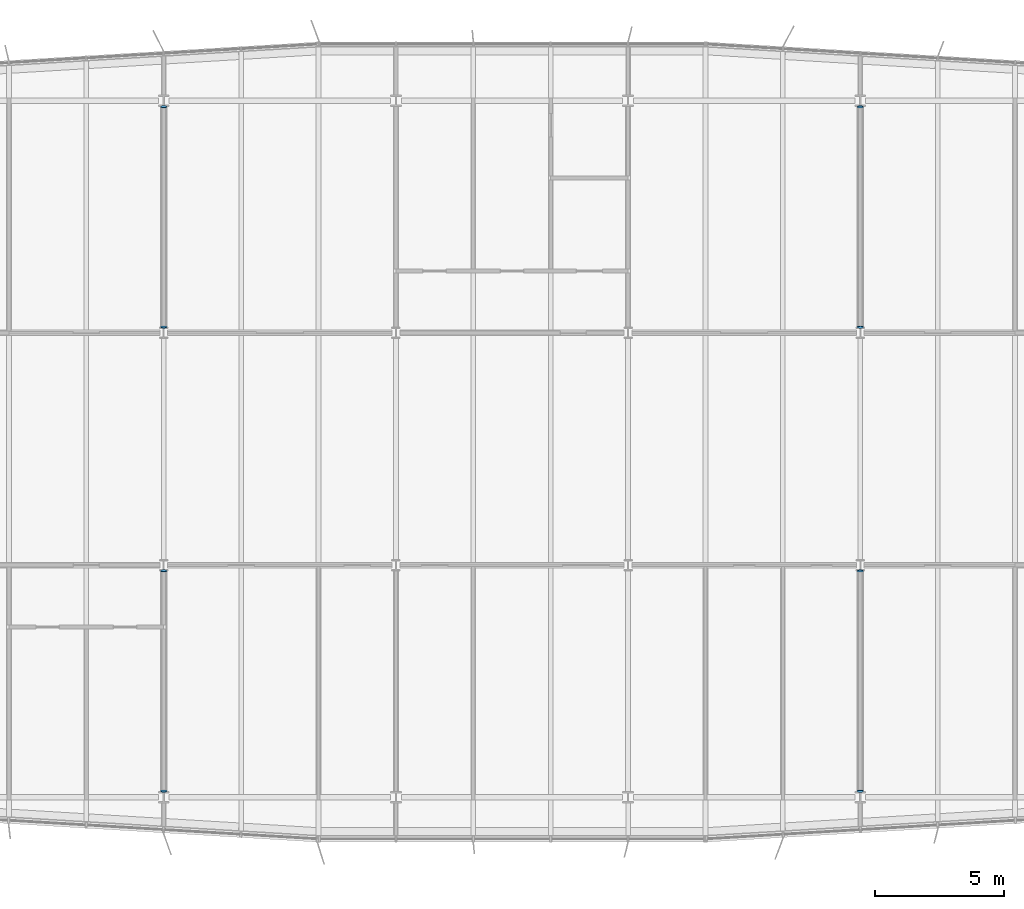
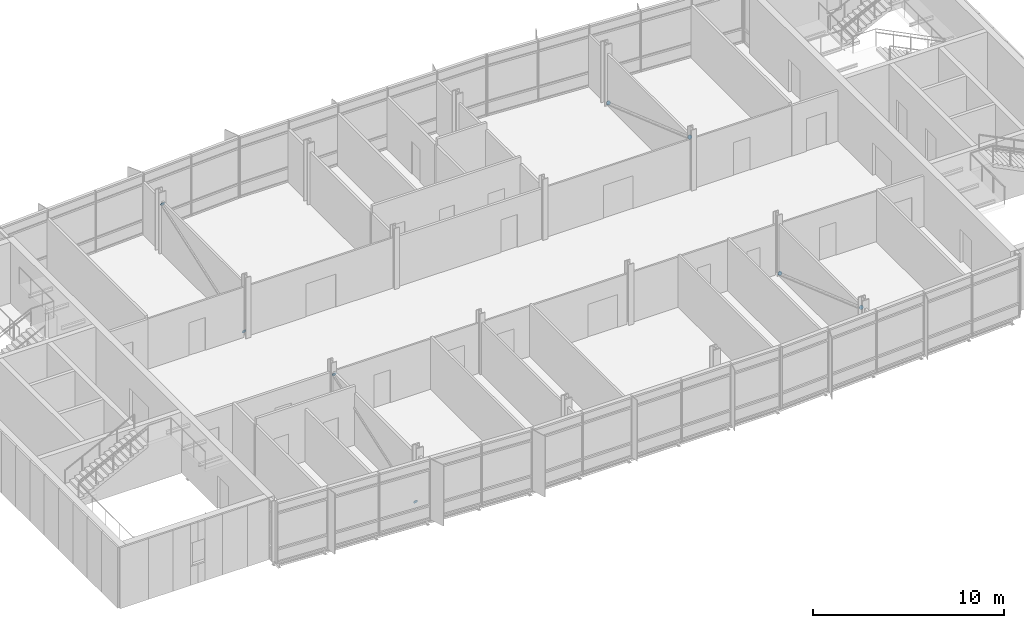
# One storey, part 19 of 21: 8 discrete accessories.
"""IFC4 building model written with IfcOpenShell, lengths in metres."""

import ifcopenshell
import ifcopenshell.guid

model = None  # the IFC model being written
_history = None  # IfcOwnerHistory: only IFC2X3 demands one
_inside = {}  # id of a spatial element -> (the spatial element, [elements in it])
_under = {}  # id of a project, library or spatial element -> (it, [spatial elements below it])
_declared = {}  # id of a project -> (the project, [libraries it declares])
_typed = {}  # id of a type object -> (the type object, [elements of that type])
_made_of = {}  # id of a material, layer set ... -> (it, [elements and type objects made of it])


def new_model(schema):
    """Start an empty IFC model of exactly this schema.

    Asked for "IFC4X3", IfcOpenShell would pick the latest addendum, in which some entities
    have other attributes; the version numbers below select the first issue.
    IFC2X3 requires an IfcOwnerHistory on every rooted entity: one is made here for all.
    """
    global model, _history
    if schema == "IFC4X3":
        model = ifcopenshell.file(schema_version=(4, 3, 0, 0))
    else:
        model = ifcopenshell.file(schema=schema)
    _inside.clear()
    _under.clear()
    _declared.clear()
    _typed.clear()
    _made_of.clear()
    _history = None
    if model.schema == "IFC2X3":
        org = make("IfcOrganization", Name="unknown")
        user = make(
            "IfcPersonAndOrganization",
            ThePerson=make("IfcPerson", FamilyName="unknown"),
            TheOrganization=org,
        )
        app = make(
            "IfcApplication",
            ApplicationDeveloper=org,
            Version="unknown",
            ApplicationFullName="unknown",
            ApplicationIdentifier="unknown",
        )
        _history = make(
            "IfcOwnerHistory",
            OwningUser=user,
            OwningApplication=app,
            ChangeAction="ADDED",
            CreationDate=0,
        )
    return model


def make(cls, **values):
    """One entity of the class cls with the attributes given. An attribute that is None is left unset."""
    return model.create_entity(
        cls, **{name: value for name, value in values.items() if value is not None}
    )


def rooted(cls, **values):
    """An entity with a GlobalId (a new one), such as an element, a storey or a relation."""
    return make(cls, GlobalId=ifcopenshell.guid.new(), OwnerHistory=_history, **values)


def si_unit(unit_type, name, prefix=None):
    """IfcSIUnit, for example si_unit("LENGTHUNIT", "METRE", prefix="MILLI")."""
    return make("IfcSIUnit", UnitType=unit_type, Prefix=prefix, Name=name)


def assignment(units):
    """IfcUnitAssignment: the units of a project."""
    return None if units is None else make("IfcUnitAssignment", Units=units)


def point(xyz):
    """IfcCartesianPoint."""
    return None if xyz is None else make("IfcCartesianPoint", Coordinates=xyz)


def direction(xyz):
    """IfcDirection."""
    return None if xyz is None else make("IfcDirection", DirectionRatios=xyz)


def frame(location, z_axis=None, x_axis=None):
    """IfcAxis2Placement3D, a coordinate frame: its origin and axes. An axis left out is left unset."""
    return make(
        "IfcAxis2Placement3D",
        Location=point(location),
        Axis=direction(z_axis),
        RefDirection=direction(x_axis),
    )


def frame_2d(location, x_axis=None):
    """IfcAxis2Placement2D, a coordinate frame in the plane: its origin and x axis."""
    return make(
        "IfcAxis2Placement2D", Location=point(location), RefDirection=direction(x_axis)
    )


def origin():
    """The frame at (0, 0, 0) with its axes left unset."""
    return frame((0.0, 0.0, 0.0))


def origin_2d():
    """The frame at (0, 0) in the plane with its x axis left unset."""
    return frame_2d((0.0, 0.0))


def place(relative_to, where):
    """IfcLocalPlacement: puts the frame where relative to a parent placement (None: the world)."""
    return make(
        "IfcLocalPlacement", PlacementRelTo=relative_to, RelativePlacement=where
    )


def context(
    kind, dimensions, precision=None, world=None, true_north=None, identifier=None
):
    """IfcGeometricRepresentationContext, for example the 3D "Model" context."""
    return make(
        "IfcGeometricRepresentationContext",
        ContextIdentifier=identifier,
        ContextType=kind,
        CoordinateSpaceDimension=dimensions,
        Precision=precision,
        WorldCoordinateSystem=world,
        TrueNorth=true_north,
    )


def subcontext(parent, identifier, kind, view, scale=None):
    """IfcGeometricRepresentationSubContext, for example "Body" below "Model"."""
    return make(
        "IfcGeometricRepresentationSubContext",
        ContextIdentifier=identifier,
        ContextType=kind,
        ParentContext=parent,
        TargetScale=scale,
        TargetView=view,
    )


def project(units=None, contexts=None):
    """IfcProject with its units and contexts."""
    return rooted(
        "IfcProject",
        Name="project",
        RepresentationContexts=contexts,
        UnitsInContext=assignment(units),
    )


def spatial(cls, under=None, at=None, **own):
    """A site, building, storey or space (cls), placed at a placement, below another one or the project."""
    s = rooted(cls, ObjectPlacement=at, **own)
    if under is not None:
        _under.setdefault(under.id(), (under, []))[1].append(s)
    return s


def profile(cls, at=None, kind="AREA", **sizes):
    """A parametric profile (cls). Its sizes go by their IFC names, for example OverallWidth=200.0."""
    return make(cls, ProfileType=kind, Position=at, **sizes)


def circle(**sizes):
    """IfcCircleProfileDef."""
    return profile("IfcCircleProfileDef", **sizes)


def extrude(swept, where, along, depth):
    """IfcExtrudedAreaSolid: the profile swept, set in the frame where, extruded along a direction by depth."""
    return make(
        "IfcExtrudedAreaSolid",
        SweptArea=swept,
        Position=where,
        ExtrudedDirection=direction(along),
        Depth=depth,
    )


def shape(context_of_items, identifier, shape_type, items):
    """IfcShapeRepresentation: the items that make up one representation, for example the "Body"."""
    return make(
        "IfcShapeRepresentation",
        ContextOfItems=context_of_items,
        RepresentationIdentifier=identifier,
        RepresentationType=shape_type,
        Items=items,
    )


def material(Name=None, Category=None):
    """IfcMaterial."""
    return make("IfcMaterial", Name=Name, Category=Category)


def material_profile(
    of_material, cross_section, Name=None, Category=None, Priority=None
):
    """IfcMaterialProfile: a cross section and its material."""
    return make(
        "IfcMaterialProfile",
        Name=Name,
        Material=of_material,
        Profile=cross_section,
        Priority=Priority,
        Category=Category,
    )


def profile_set(profiles, Name=None, composite=None):
    """IfcMaterialProfileSet."""
    return make(
        "IfcMaterialProfileSet",
        Name=Name,
        MaterialProfiles=profiles,
        CompositeProfile=composite,
    )


def made_of(thing, what):
    """Note that an element or type object is made of a material, layer set ...; save() writes the relation."""
    if what is not None:
        _made_of.setdefault(what.id(), (what, []))[1].append(thing)
    return thing


def type_object(cls, material=None, **own):
    """A type object (cls), such as IfcWallType, which elements share."""
    return made_of(rooted(cls, **own), material)


def element(
    cls,
    number,
    at=None,
    inside=None,
    cuts=None,
    type_object=None,
    material=None,
    context=None,
    identifier="Body",
    shape_type=None,
    held_by="IfcProductDefinitionShape",
    body=None,
    shapes=None,
    **own,
):
    """One element of the class cls, such as IfcWall. Its Tag is "e" and its number.

    at: its placement. inside: the storey or other place that contains it. cuts: it is an
    opening in that element (IfcRelVoidsElement). A single representation is given by context,
    identifier, shape_type and body (its items); several are given by shapes. held_by: the class
    of the entity that holds the representations. save() writes the other relations.
    """
    e = rooted(cls, Tag="e%d" % number, ObjectPlacement=at, **own)
    if body is not None:
        shapes = [shape(context, identifier, shape_type, body)]
    if shapes is not None:
        e.Representation = make(held_by, Representations=shapes)
    if inside is not None:
        _inside.setdefault(inside.id(), (inside, []))[1].append(e)
    if cuts is not None:
        rooted(
            "IfcRelVoidsElement", RelatingBuildingElement=cuts, RelatedOpeningElement=e
        )
    if type_object is not None:
        _typed.setdefault(type_object.id(), (type_object, []))[1].append(e)
    return made_of(e, material)


def aggregate(whole, parts):
    """IfcRelAggregates: a whole, such as a stair, and the parts it consists of."""
    return rooted("IfcRelAggregates", RelatingObject=whole, RelatedObjects=parts)


def save(model, path):
    """Write the relations noted so far, then the file.

    IfcRelAggregates (storeys below a building ...), IfcRelContainedInSpatialStructure (elements
    in a storey), IfcRelDefinesByType, IfcRelAssociatesMaterial and IfcRelDeclares: one each for
    every whole, place, type object, material and project.
    """
    for whole, parts in _under.values():
        aggregate(whole, parts)
    for where, things in _inside.values():
        rooted(
            "IfcRelContainedInSpatialStructure",
            RelatedElements=things,
            RelatingStructure=where,
        )
    for kind, things in _typed.values():
        rooted("IfcRelDefinesByType", RelatedObjects=things, RelatingType=kind)
    for what, things in _made_of.values():
        rooted("IfcRelAssociatesMaterial", RelatedObjects=things, RelatingMaterial=what)
    for by, libraries in _declared.values():
        rooted("IfcRelDeclares", RelatingContext=by, RelatedDefinitions=libraries)
    model.write(path)


model = new_model("IFC4")

# Units and contexts
model_context = context("Model", 3, precision=1e-05, world=origin(), true_north=direction((0.0, 1.0)))
body_context = subcontext(model_context, "Body", "Model", "MODEL_VIEW")
ifc_project = project(units=[si_unit("LENGTHUNIT", "METRE"), si_unit("AREAUNIT", "SQUARE_METRE"), si_unit("VOLUMEUNIT", "CUBIC_METRE"), si_unit("PLANEANGLEUNIT", "RADIAN"), si_unit("MASSUNIT", "GRAM", prefix="KILO")], contexts=[model_context])

# Site, building, storey
site_placement = place(None, origin())
site = spatial("IfcSite", under=ifc_project, at=site_placement, CompositionType="ELEMENT")
building_placement = place(site_placement, origin())
building = spatial("IfcBuilding", under=site, at=building_placement, Name="Azimuth Sports and Learning Centre", CompositionType="ELEMENT")
storey_placement = place(building_placement, frame((0.0, 0.0, 48.0)))
storey = spatial("IfcBuildingStorey", under=building, at=storey_placement, Name="L10", CompositionType="ELEMENT", Elevation=48.0)

# Discrete accessories
ifc_material = material(Name="Steel S355", Category="steel")
ifc_material_profile = material_profile(ifc_material, circle(Radius=0.122314453125, at=origin_2d()), Name="PL 244 DISC")
ifc_profile_set = profile_set([ifc_material_profile], Name="Steel S355")
discrete_accessory_type = type_object("IfcDiscreteAccessoryType", Name="End plate CHS 244.5x12.5", PredefinedType="USERDEFINED", material=ifc_profile_set)
for number, where, z_axis, x_axis, name in (
    (1, (72.0, 90.247802734375, 0.16943359375), (0.0, -0.943667134088, -0.330896267797), (1.0, 0.0, 0.0), "End plate Tower brace 9 L10 lower end"),
    (2, (72.0, 98.763671875, 3.150634765625), (0.0, 0.943667134088, 0.330896267797), (-1.0, 0.0, 0.0), "End plate Tower brace 9 L10 upper end"),
    (3, (72.0, 108.236328125, 0.16943359375), (0.0, -0.943667134088, -0.330896267797), (1.0, 0.0, 0.0), "End plate Tower brace 9 L10 lower end"),
    (4, (72.0, 116.752197265625, 3.150634765625), (0.0, 0.943667134088, 0.330896267797), (-1.0, 0.0, 0.0), "End plate Tower brace 9 L10 upper end"),
    (5, (99.0, 98.763671875, 0.16943359375), (0.0, 0.943667134088, -0.330896267797), (-1.0, 0.0, 0.0), "End plate Tower brace 12 L10 lower end"),
    (6, (99.0, 90.247802734375, 3.150634765625), (0.0, -0.943667134088, 0.330896267797), (1.0, 0.0, 0.0), "End plate Tower brace 12 L10 upper end"),
    (7, (99.0, 116.752197265625, 0.16943359375), (0.0, 0.943667134088, -0.330896267797), (-1.0, 0.0, 0.0), "End plate Tower brace 12 L10 lower end"),
    (8, (99.0, 108.236328125, 3.150634765625), (0.0, -0.943667134088, 0.330896267797), (1.0, 0.0, 0.0), "End plate Tower brace 12 L10 upper end"),
):
    element("IfcDiscreteAccessory", number, at=place(storey_placement, frame(where, z_axis=z_axis, x_axis=x_axis)), inside=storey, type_object=discrete_accessory_type, Name=name, ObjectType="END PLATE", PredefinedType="USERDEFINED", context=body_context, shape_type="SweptSolid", body=[
        extrude(circle(Radius=0.122314453125, at=origin_2d()), origin(), (0.0, 0.0, 1.0), 0.02001953125),
    ])

save(model, "model.ifc")
